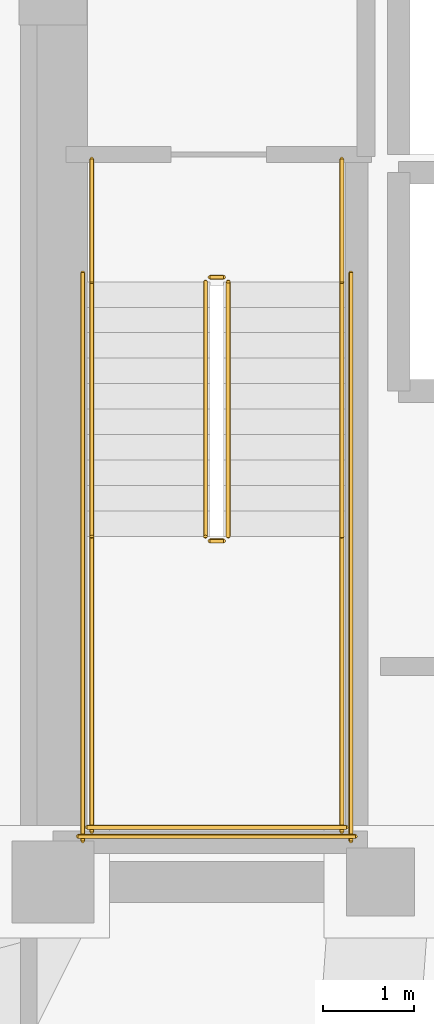
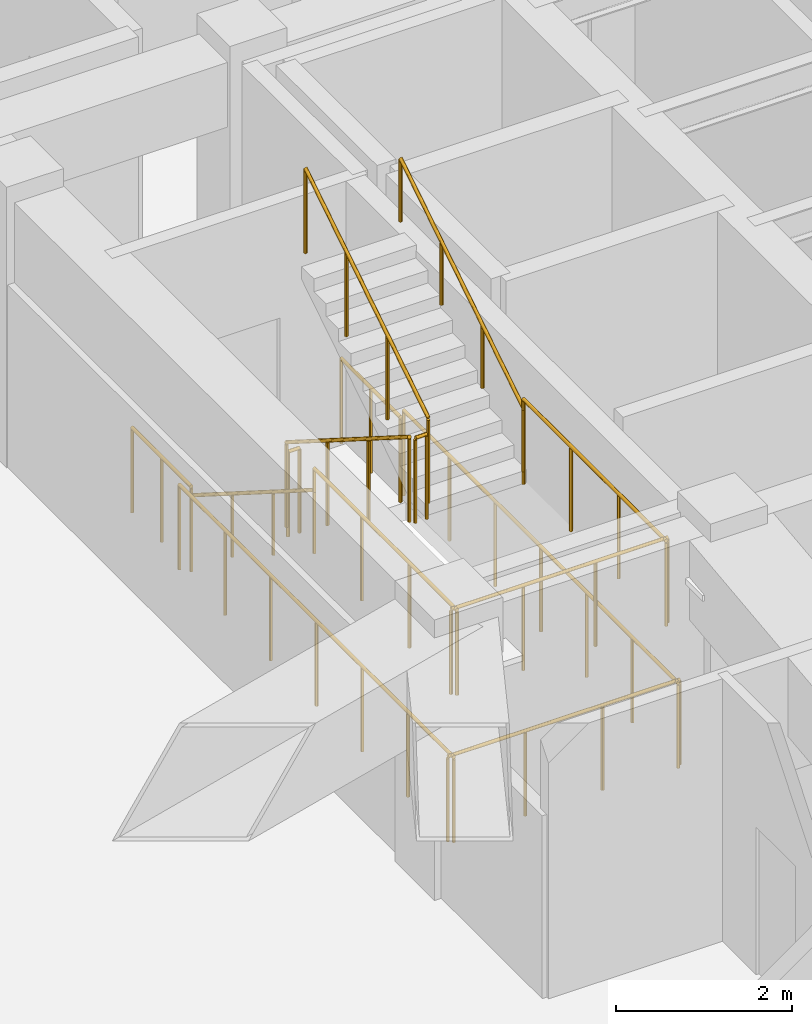
# One storey, part 13 of 14: 14 railings.
"""IFC4 building model written with IfcOpenShell, lengths in metres."""

from ifc_helpers import new_model, si_unit, direction, frame, origin, origin_2d, place, context, subcontext, project, spatial, circle, extrude, material, type_object, element, save


model = new_model("IFC4")

# Units and contexts
model_context = context("Model", 3, precision=1e-05, world=origin(), true_north=direction((0.0, 1.0)))
body_context = subcontext(model_context, "Body", "Model", "MODEL_VIEW")
ifc_project = project(units=[si_unit("LENGTHUNIT", "METRE"), si_unit("AREAUNIT", "SQUARE_METRE"), si_unit("VOLUMEUNIT", "CUBIC_METRE"), si_unit("PLANEANGLEUNIT", "RADIAN"), si_unit("MASSUNIT", "GRAM", prefix="KILO")], contexts=[model_context])

# Site, building, storey
site_placement = place(None, origin())
site = spatial("IfcSite", under=ifc_project, at=site_placement, CompositionType="ELEMENT")
building_placement = place(site_placement, origin())
building = spatial("IfcBuilding", under=site, at=building_placement, Name="Voryun Gate Residences", CompositionType="ELEMENT")
storey_placement = place(building_placement, frame((0.0, 0.0, 144.300048828125)))
storey = spatial("IfcBuildingStorey", under=building, at=storey_placement, Name="L35", CompositionType="ELEMENT", Elevation=144.300048828125)

# Railings
ifc_material_1 = material(Name="Painted steel", Category="steel")
railing_type_1 = type_object("IfcRailingType", Name="RAIL_STAIR_GUARD_1200", PredefinedType="GUARDRAIL", material=ifc_material_1)
railing_1_placement = place(storey_placement, frame((-17.52490234375, -0.800048828125, 0.17724609375)))
element("IfcRailing", 1, at=railing_1_placement, inside=storey, type_object=railing_type_1, Name="L35 ST-W1 stair guard 1", PredefinedType="GUARDRAIL", context=body_context, shape_type="SweptSolid", body=[
    extrude(circle(Radius=0.02392578125, at=origin_2d()), frame((0.0, 0.0, 1.17578125), z_axis=(0.0, -0.844908973607, 0.534910110503), x_axis=(1.0, 0.0, 0.0)), (0.0, 0.0, 1.0), 3.31396484375),
    extrude(circle(Radius=0.02099609375, at=origin_2d()), origin(), (0.0, 0.0, 1.0), 1.15185546875),
    extrude(circle(Radius=0.02099609375, at=origin_2d()), frame((0.0, -0.933349609375, 0.5908203125)), (0.0, 0.0, 1.0), 1.15185546875),
    extrude(circle(Radius=0.02099609375, at=origin_2d()), frame((0.0, -1.86669921875, 1.181884765625)), (0.0, 0.0, 1.0), 1.15185546875),
    extrude(circle(Radius=0.02099609375, at=origin_2d()), frame((0.0, -2.800048828125, 1.772705078125)), (0.0, 0.0, 1.0), 1.15185546875),
])
railing_2_placement = place(storey_placement, frame((-17.47509765625, -3.64990234375, 1.949951171875)))
element("IfcRailing", 2, at=railing_2_placement, inside=storey, type_object=railing_type_1, Name="L35 ST-W1 stair guard 2", PredefinedType="GUARDRAIL", context=body_context, shape_type="SweptSolid", body=[
    extrude(circle(Radius=0.02392578125, at=origin_2d()), frame((0.0, 0.0, 1.17578125), z_axis=(1.0, 0.0, 0.0), x_axis=(0.0, 1.0, 0.0)), (0.0, 0.0, 1.0), 0.150146484375),
    extrude(circle(Radius=0.02099609375, at=origin_2d()), origin(), (0.0, 0.0, 1.0), 1.15185546875),
    extrude(circle(Radius=0.02099609375, at=origin_2d()), frame((0.150146484375, 0.0, 0.0)), (0.0, 0.0, 1.0), 1.15185546875),
])
for number, where, name in (
    (3, (-18.77490234375, -3.60009765625, 1.949951171875), "L35 ST-W1 stair guard 3"),
    (4, (-16.02490234375, -3.60009765625, 1.949951171875), "L35 ST-W1 stair guard 4"),
):
    element("IfcRailing", number, at=place(storey_placement, frame(where)), inside=storey, type_object=railing_type_1, Name=name, PredefinedType="GUARDRAIL", context=body_context, shape_type="SweptSolid", body=[
        extrude(circle(Radius=0.02392578125, at=origin_2d()), frame((0.0, 0.0, 1.17578125), z_axis=(0.0, -1.0, 0.0), x_axis=(1.0, 0.0, 0.0)), (0.0, 0.0, 1.0), 3.25),
        extrude(circle(Radius=0.02099609375, at=origin_2d()), origin(), (0.0, 0.0, 1.0), 1.15185546875),
        extrude(circle(Radius=0.02099609375, at=origin_2d()), frame((0.0, -1.083251953125, 0.0)), (0.0, 0.0, 1.0), 1.15185546875),
        extrude(circle(Radius=0.02099609375, at=origin_2d()), frame((0.0, -2.166748046875, 0.0)), (0.0, 0.0, 1.0), 1.15185546875),
        extrude(circle(Radius=0.02099609375, at=origin_2d()), frame((0.0, -3.25, 0.0)), (0.0, 0.0, 1.0), 1.15185546875),
    ])
railing_3_placement = place(storey_placement, frame((-18.824951171875, -6.800048828125, 1.949951171875)))
element("IfcRailing", 5, at=railing_3_placement, inside=storey, type_object=railing_type_1, Name="L35 ST-W1 stair guard 5", PredefinedType="GUARDRAIL", context=body_context, shape_type="SweptSolid", body=[
    extrude(circle(Radius=0.02392578125, at=origin_2d()), frame((0.0, 0.0, 1.17578125), z_axis=(1.0, 0.0, 0.0), x_axis=(0.0, 1.0, 0.0)), (0.0, 0.0, 1.0), 2.849853515625),
    extrude(circle(Radius=0.02099609375, at=origin_2d()), origin(), (0.0, 0.0, 1.0), 1.15185546875),
    extrude(circle(Radius=0.02099609375, at=origin_2d()), frame((0.949951171875, 0.0, 0.0)), (0.0, 0.0, 1.0), 1.15185546875),
    extrude(circle(Radius=0.02099609375, at=origin_2d()), frame((1.89990234375, 0.0, 0.0)), (0.0, 0.0, 1.0), 1.15185546875),
    extrude(circle(Radius=0.02099609375, at=origin_2d()), frame((2.849853515625, 0.0, 0.0)), (0.0, 0.0, 1.0), 1.15185546875),
])
railing_4_placement = place(storey_placement, frame((-17.27490234375, -3.60009765625, 2.127197265625)))
element("IfcRailing", 6, at=railing_4_placement, inside=storey, type_object=railing_type_1, Name="L35 ST-W1 stair guard 6", PredefinedType="GUARDRAIL", context=body_context, shape_type="SweptSolid", body=[
    extrude(circle(Radius=0.02392578125, at=origin_2d()), frame((0.0, 0.0, 1.17578125), z_axis=(0.0, 0.844908973607, 0.534910110503), x_axis=(-1.0, 0.0, 0.0)), (0.0, 0.0, 1.0), 3.31396484375),
    extrude(circle(Radius=0.02099609375, at=origin_2d()), origin(), (0.0, 0.0, 1.0), 1.15185546875),
    extrude(circle(Radius=0.02099609375, at=origin_2d()), frame((0.0, 0.933349609375, 0.5908203125)), (0.0, 0.0, 1.0), 1.15185546875),
    extrude(circle(Radius=0.02099609375, at=origin_2d()), frame((0.0, 1.86669921875, 1.181884765625)), (0.0, 0.0, 1.0), 1.15185546875),
    extrude(circle(Radius=0.02099609375, at=origin_2d()), frame((0.0, 2.800048828125, 1.772705078125)), (0.0, 0.0, 1.0), 1.15185546875),
])
railing_5_placement = place(storey_placement, frame((-17.47509765625, -0.75, 0.0)))
element("IfcRailing", 7, at=railing_5_placement, inside=storey, type_object=railing_type_1, Name="L35 ST-W1 stair guard 7", PredefinedType="GUARDRAIL", context=body_context, shape_type="SweptSolid", body=[
    extrude(circle(Radius=0.02392578125, at=origin_2d()), frame((0.0, 0.0, 1.17578125), z_axis=(1.0, 0.0, 0.0), x_axis=(0.0, 1.0, 0.0)), (0.0, 0.0, 1.0), 0.150146484375),
    extrude(circle(Radius=0.02099609375, at=origin_2d()), origin(), (0.0, 0.0, 1.0), 1.15185546875),
    extrude(circle(Radius=0.02099609375, at=origin_2d()), frame((0.150146484375, 0.0, 0.0)), (0.0, 0.0, 1.0), 1.15185546875),
])
for number, where, name in (
    (8, (-18.77490234375, 0.550048828125, 0.0), "L35 ST-W1 stair guard 8"),
    (9, (-16.02490234375, 0.550048828125, 0.0), "L35 ST-W1 stair guard 9"),
):
    element("IfcRailing", number, at=place(storey_placement, frame(where)), inside=storey, type_object=railing_type_1, Name=name, PredefinedType="GUARDRAIL", context=body_context, shape_type="SweptSolid", body=[
        extrude(circle(Radius=0.02392578125, at=origin_2d()), frame((0.0, 0.0, 1.17578125), z_axis=(0.0, -1.0, 0.0), x_axis=(1.0, 0.0, 0.0)), (0.0, 0.0, 1.0), 1.35009765625),
        extrude(circle(Radius=0.02099609375, at=origin_2d()), origin(), (0.0, 0.0, 1.0), 1.15185546875),
        extrude(circle(Radius=0.02099609375, at=origin_2d()), frame((0.0, -0.675048828125, 0.0)), (0.0, 0.0, 1.0), 1.15185546875),
        extrude(circle(Radius=0.02099609375, at=origin_2d()), frame((0.0, -1.35009765625, 0.0)), (0.0, 0.0, 1.0), 1.15185546875),
    ])
for number, where, name in (
    (10, (-18.875, -0.699951171875, 0.0), "L35 ST-W1 stair guard 10"),
    (11, (-15.925048828125, -0.699951171875, 0.0), "L35 ST-W1 stair guard 11"),
):
    element("IfcRailing", number, at=place(storey_placement, frame(where)), inside=storey, type_object=railing_type_1, Name=name, PredefinedType="GUARDRAIL", context=body_context, shape_type="SweptSolid", body=[
        extrude(circle(Radius=0.02392578125, at=origin_2d()), frame((0.0, 0.0, 1.17578125), z_axis=(0.0, -1.0, 0.0), x_axis=(1.0, 0.0, 0.0)), (0.0, 0.0, 1.0), 6.25),
        extrude(circle(Radius=0.02099609375, at=origin_2d()), origin(), (0.0, 0.0, 1.0), 1.15185546875),
        extrude(circle(Radius=0.02099609375, at=origin_2d()), frame((0.0, -1.041748046875, 0.0)), (0.0, 0.0, 1.0), 1.15185546875),
        extrude(circle(Radius=0.02099609375, at=origin_2d()), frame((0.0, -2.083251953125, 0.0)), (0.0, 0.0, 1.0), 1.15185546875),
        extrude(circle(Radius=0.02099609375, at=origin_2d()), frame((0.0, -3.125, 0.0)), (0.0, 0.0, 1.0), 1.15185546875),
        extrude(circle(Radius=0.02099609375, at=origin_2d()), frame((0.0, -4.166748046875, 0.0)), (0.0, 0.0, 1.0), 1.15185546875),
        extrude(circle(Radius=0.02099609375, at=origin_2d()), frame((0.0, -5.208251953125, 0.0)), (0.0, 0.0, 1.0), 1.15185546875),
        extrude(circle(Radius=0.02099609375, at=origin_2d()), frame((0.0, -6.25, 0.0)), (0.0, 0.0, 1.0), 1.15185546875),
    ])
railing_6_placement = place(storey_placement, frame((-18.925048828125, -6.89990234375, 0.0)))
element("IfcRailing", 12, at=railing_6_placement, inside=storey, type_object=railing_type_1, Name="L35 ST-W1 stair guard 12", PredefinedType="GUARDRAIL", context=body_context, shape_type="SweptSolid", body=[
    extrude(circle(Radius=0.02392578125, at=origin_2d()), frame((0.0, 0.0, 1.17578125), z_axis=(1.0, 0.0, 0.0), x_axis=(0.0, 1.0, 0.0)), (0.0, 0.0, 1.0), 3.050048828125),
    extrude(circle(Radius=0.02099609375, at=origin_2d()), origin(), (0.0, 0.0, 1.0), 1.15185546875),
    extrude(circle(Radius=0.02099609375, at=origin_2d()), frame((1.0166015625, 0.0, 0.0)), (0.0, 0.0, 1.0), 1.15185546875),
    extrude(circle(Radius=0.02099609375, at=origin_2d()), frame((2.033447265625, 0.0, 0.0)), (0.0, 0.0, 1.0), 1.15185546875),
    extrude(circle(Radius=0.02099609375, at=origin_2d()), frame((3.050048828125, 0.0, 0.0)), (0.0, 0.0, 1.0), 1.15185546875),
])
ifc_material_2 = material(Name="Painted steel", Category="steel")
railing_type_2 = type_object("IfcRailingType", Name="RAIL_STAIR_HANDRAIL_900", PredefinedType="HANDRAIL", material=ifc_material_2)
railing_7_placement = place(storey_placement, frame((-18.77490234375, -0.800048828125, 0.17724609375)))
element("IfcRailing", 13, at=railing_7_placement, inside=storey, type_object=railing_type_2, Name="L35 ST-W1 stair handrail 1", PredefinedType="HANDRAIL", context=body_context, shape_type="SweptSolid", body=[
    extrude(circle(Radius=0.02392578125, at=origin_2d()), frame((0.0, 0.0, 0.8759765625), z_axis=(0.0, -0.844908973607, 0.534910110503), x_axis=(1.0, 0.0, 0.0)), (0.0, 0.0, 1.0), 3.31396484375),
    extrude(circle(Radius=0.02099609375, at=origin_2d()), origin(), (0.0, 0.0, 1.0), 0.851806640625),
    extrude(circle(Radius=0.02099609375, at=origin_2d()), frame((0.0, -0.933349609375, 0.5908203125)), (0.0, 0.0, 1.0), 0.851806640625),
    extrude(circle(Radius=0.02099609375, at=origin_2d()), frame((0.0, -1.86669921875, 1.181884765625)), (0.0, 0.0, 1.0), 0.851806640625),
    extrude(circle(Radius=0.02099609375, at=origin_2d()), frame((0.0, -2.800048828125, 1.772705078125)), (0.0, 0.0, 1.0), 0.851806640625),
])
railing_8_placement = place(storey_placement, frame((-16.02490234375, -3.60009765625, 2.127197265625)))
element("IfcRailing", 14, at=railing_8_placement, inside=storey, type_object=railing_type_2, Name="L35 ST-W1 stair handrail 2", PredefinedType="HANDRAIL", context=body_context, shape_type="SweptSolid", body=[
    extrude(circle(Radius=0.02392578125, at=origin_2d()), frame((0.0, 0.0, 0.8759765625), z_axis=(0.0, 0.844908973607, 0.534910110503), x_axis=(-1.0, 0.0, 0.0)), (0.0, 0.0, 1.0), 3.31396484375),
    extrude(circle(Radius=0.02099609375, at=origin_2d()), origin(), (0.0, 0.0, 1.0), 0.851806640625),
    extrude(circle(Radius=0.02099609375, at=origin_2d()), frame((0.0, 0.933349609375, 0.5908203125)), (0.0, 0.0, 1.0), 0.851806640625),
    extrude(circle(Radius=0.02099609375, at=origin_2d()), frame((0.0, 1.86669921875, 1.181884765625)), (0.0, 0.0, 1.0), 0.851806640625),
    extrude(circle(Radius=0.02099609375, at=origin_2d()), frame((0.0, 2.800048828125, 1.772705078125)), (0.0, 0.0, 1.0), 0.851806640625),
])

save(model, "model.ifc")
